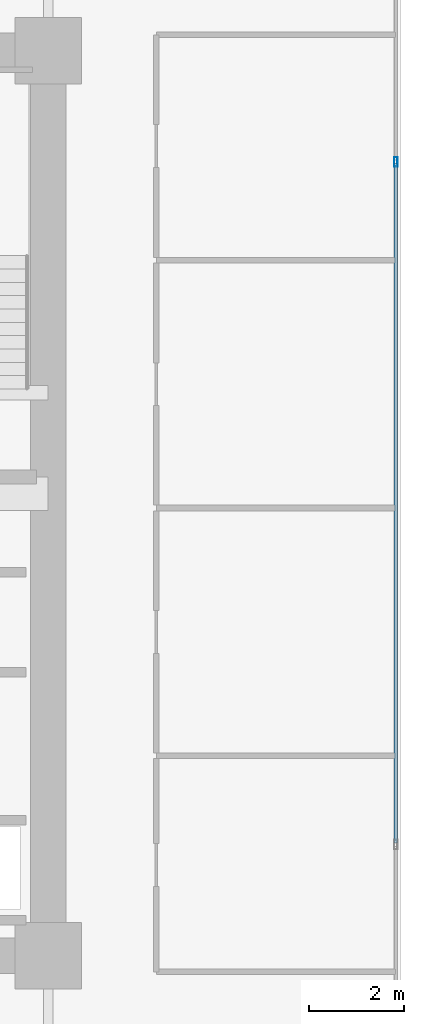
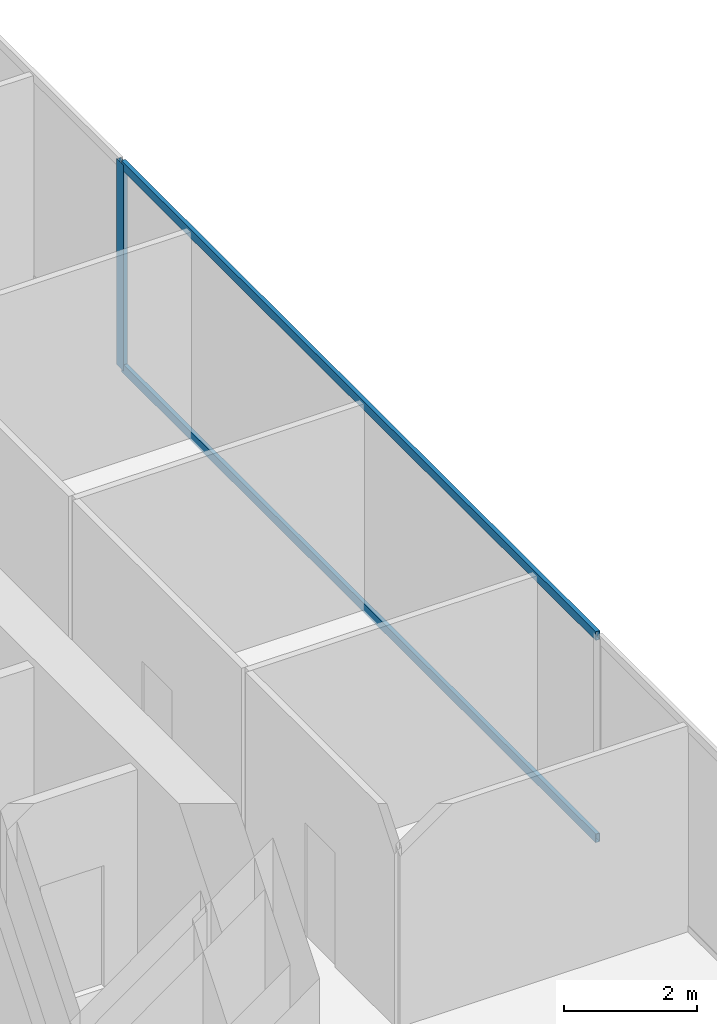
# One storey, part 25 of 35: 3 members, 1 element without a shape of its own.
"""IFC4 building model written with IfcOpenShell, lengths in metres."""

import ifcopenshell
import ifcopenshell.guid

model = None  # the IFC model being written
_history = None  # IfcOwnerHistory: only IFC2X3 demands one
_inside = {}  # id of a spatial element -> (the spatial element, [elements in it])
_under = {}  # id of a project, library or spatial element -> (it, [spatial elements below it])
_declared = {}  # id of a project -> (the project, [libraries it declares])
_typed = {}  # id of a type object -> (the type object, [elements of that type])
_made_of = {}  # id of a material, layer set ... -> (it, [elements and type objects made of it])


def new_model(schema):
    """Start an empty IFC model of exactly this schema.

    Asked for "IFC4X3", IfcOpenShell would pick the latest addendum, in which some entities
    have other attributes; the version numbers below select the first issue.
    IFC2X3 requires an IfcOwnerHistory on every rooted entity: one is made here for all.
    """
    global model, _history
    if schema == "IFC4X3":
        model = ifcopenshell.file(schema_version=(4, 3, 0, 0))
    else:
        model = ifcopenshell.file(schema=schema)
    _inside.clear()
    _under.clear()
    _declared.clear()
    _typed.clear()
    _made_of.clear()
    _history = None
    if model.schema == "IFC2X3":
        org = make("IfcOrganization", Name="unknown")
        user = make(
            "IfcPersonAndOrganization",
            ThePerson=make("IfcPerson", FamilyName="unknown"),
            TheOrganization=org,
        )
        app = make(
            "IfcApplication",
            ApplicationDeveloper=org,
            Version="unknown",
            ApplicationFullName="unknown",
            ApplicationIdentifier="unknown",
        )
        _history = make(
            "IfcOwnerHistory",
            OwningUser=user,
            OwningApplication=app,
            ChangeAction="ADDED",
            CreationDate=0,
        )
    return model


def make(cls, **values):
    """One entity of the class cls with the attributes given. An attribute that is None is left unset."""
    return model.create_entity(
        cls, **{name: value for name, value in values.items() if value is not None}
    )


def rooted(cls, **values):
    """An entity with a GlobalId (a new one), such as an element, a storey or a relation."""
    return make(cls, GlobalId=ifcopenshell.guid.new(), OwnerHistory=_history, **values)


def si_unit(unit_type, name, prefix=None):
    """IfcSIUnit, for example si_unit("LENGTHUNIT", "METRE", prefix="MILLI")."""
    return make("IfcSIUnit", UnitType=unit_type, Prefix=prefix, Name=name)


def assignment(units):
    """IfcUnitAssignment: the units of a project."""
    return None if units is None else make("IfcUnitAssignment", Units=units)


def point(xyz):
    """IfcCartesianPoint."""
    return None if xyz is None else make("IfcCartesianPoint", Coordinates=xyz)


def direction(xyz):
    """IfcDirection."""
    return None if xyz is None else make("IfcDirection", DirectionRatios=xyz)


def frame(location, z_axis=None, x_axis=None):
    """IfcAxis2Placement3D, a coordinate frame: its origin and axes. An axis left out is left unset."""
    return make(
        "IfcAxis2Placement3D",
        Location=point(location),
        Axis=direction(z_axis),
        RefDirection=direction(x_axis),
    )


def frame_2d(location, x_axis=None):
    """IfcAxis2Placement2D, a coordinate frame in the plane: its origin and x axis."""
    return make(
        "IfcAxis2Placement2D", Location=point(location), RefDirection=direction(x_axis)
    )


def origin():
    """The frame at (0, 0, 0) with its axes left unset."""
    return frame((0.0, 0.0, 0.0))


def origin_2d():
    """The frame at (0, 0) in the plane with its x axis left unset."""
    return frame_2d((0.0, 0.0))


def place(relative_to, where):
    """IfcLocalPlacement: puts the frame where relative to a parent placement (None: the world)."""
    return make(
        "IfcLocalPlacement", PlacementRelTo=relative_to, RelativePlacement=where
    )


def context(
    kind, dimensions, precision=None, world=None, true_north=None, identifier=None
):
    """IfcGeometricRepresentationContext, for example the 3D "Model" context."""
    return make(
        "IfcGeometricRepresentationContext",
        ContextIdentifier=identifier,
        ContextType=kind,
        CoordinateSpaceDimension=dimensions,
        Precision=precision,
        WorldCoordinateSystem=world,
        TrueNorth=true_north,
    )


def subcontext(parent, identifier, kind, view, scale=None):
    """IfcGeometricRepresentationSubContext, for example "Body" below "Model"."""
    return make(
        "IfcGeometricRepresentationSubContext",
        ContextIdentifier=identifier,
        ContextType=kind,
        ParentContext=parent,
        TargetScale=scale,
        TargetView=view,
    )


def project(units=None, contexts=None):
    """IfcProject with its units and contexts."""
    return rooted(
        "IfcProject",
        Name="project",
        RepresentationContexts=contexts,
        UnitsInContext=assignment(units),
    )


def spatial(cls, under=None, at=None, **own):
    """A site, building, storey or space (cls), placed at a placement, below another one or the project."""
    s = rooted(cls, ObjectPlacement=at, **own)
    if under is not None:
        _under.setdefault(under.id(), (under, []))[1].append(s)
    return s


def profile(cls, at=None, kind="AREA", **sizes):
    """A parametric profile (cls). Its sizes go by their IFC names, for example OverallWidth=200.0."""
    return make(cls, ProfileType=kind, Position=at, **sizes)


def hollow_rectangle(**sizes):
    """IfcRectangleHollowProfileDef."""
    return profile("IfcRectangleHollowProfileDef", **sizes)


def extrude(swept, where, along, depth):
    """IfcExtrudedAreaSolid: the profile swept, set in the frame where, extruded along a direction by depth."""
    return make(
        "IfcExtrudedAreaSolid",
        SweptArea=swept,
        Position=where,
        ExtrudedDirection=direction(along),
        Depth=depth,
    )


def shape(context_of_items, identifier, shape_type, items):
    """IfcShapeRepresentation: the items that make up one representation, for example the "Body"."""
    return make(
        "IfcShapeRepresentation",
        ContextOfItems=context_of_items,
        RepresentationIdentifier=identifier,
        RepresentationType=shape_type,
        Items=items,
    )


def source(mapping_origin, context_of_items, identifier, shape_type, items):
    """IfcRepresentationMap: a shape defined once, which mapped items show again and again."""
    return make(
        "IfcRepresentationMap",
        MappingOrigin=mapping_origin,
        MappedRepresentation=shape(context_of_items, identifier, shape_type, items),
    )


def transform(
    local_origin,
    x_axis=None,
    y_axis=None,
    z_axis=None,
    scale=None,
    scale2=None,
    scale3=None,
    uniform=True,
):
    """IfcCartesianTransformationOperator3D, or its non-uniform kind. x_axis, y_axis, z_axis: its Axis1, 2, 3."""
    if uniform:
        return make(
            "IfcCartesianTransformationOperator3D",
            Axis1=direction(x_axis),
            Axis2=direction(y_axis),
            LocalOrigin=point(local_origin),
            Scale=scale,
            Axis3=direction(z_axis),
        )
    return make(
        "IfcCartesianTransformationOperator3DnonUniform",
        Axis1=direction(x_axis),
        Axis2=direction(y_axis),
        LocalOrigin=point(local_origin),
        Scale=scale,
        Axis3=direction(z_axis),
        Scale2=scale2,
        Scale3=scale3,
    )


def mapped(mapping_source, mapping_target):
    """IfcMappedItem: shows the shape of a source again, moved by a transform."""
    return make(
        "IfcMappedItem", MappingSource=mapping_source, MappingTarget=mapping_target
    )


def material(Name=None, Category=None):
    """IfcMaterial."""
    return make("IfcMaterial", Name=Name, Category=Category)


def layer(
    of_material, thickness, ventilated=None, Name=None, Category=None, Priority=None
):
    """IfcMaterialLayer: one layer of a wall or slab, of a material (None: an air gap)."""
    return make(
        "IfcMaterialLayer",
        Material=of_material,
        LayerThickness=thickness,
        IsVentilated=ventilated,
        Name=Name,
        Category=Category,
        Priority=Priority,
    )


def layer_set(layers, Name=None):
    """IfcMaterialLayerSet."""
    return make("IfcMaterialLayerSet", MaterialLayers=layers, LayerSetName=Name)


def material_profile(
    of_material, cross_section, Name=None, Category=None, Priority=None
):
    """IfcMaterialProfile: a cross section and its material."""
    return make(
        "IfcMaterialProfile",
        Name=Name,
        Material=of_material,
        Profile=cross_section,
        Priority=Priority,
        Category=Category,
    )


def profile_set(profiles, Name=None, composite=None):
    """IfcMaterialProfileSet."""
    return make(
        "IfcMaterialProfileSet",
        Name=Name,
        MaterialProfiles=profiles,
        CompositeProfile=composite,
    )


def made_of(thing, what):
    """Note that an element or type object is made of a material, layer set ...; save() writes the relation."""
    if what is not None:
        _made_of.setdefault(what.id(), (what, []))[1].append(thing)
    return thing


def type_object(cls, material=None, **own):
    """A type object (cls), such as IfcWallType, which elements share."""
    return made_of(rooted(cls, **own), material)


def type_shapes(of_type, sources):
    """Give a type object the sources (RepresentationMaps) that its elements show as mapped items."""
    of_type.RepresentationMaps = sources


def element(
    cls,
    number,
    at=None,
    inside=None,
    cuts=None,
    type_object=None,
    material=None,
    context=None,
    identifier="Body",
    shape_type=None,
    held_by="IfcProductDefinitionShape",
    body=None,
    shapes=None,
    **own,
):
    """One element of the class cls, such as IfcWall. Its Tag is "e" and its number.

    at: its placement. inside: the storey or other place that contains it. cuts: it is an
    opening in that element (IfcRelVoidsElement). A single representation is given by context,
    identifier, shape_type and body (its items); several are given by shapes. held_by: the class
    of the entity that holds the representations. save() writes the other relations.
    """
    e = rooted(cls, Tag="e%d" % number, ObjectPlacement=at, **own)
    if body is not None:
        shapes = [shape(context, identifier, shape_type, body)]
    if shapes is not None:
        e.Representation = make(held_by, Representations=shapes)
    if inside is not None:
        _inside.setdefault(inside.id(), (inside, []))[1].append(e)
    if cuts is not None:
        rooted(
            "IfcRelVoidsElement", RelatingBuildingElement=cuts, RelatedOpeningElement=e
        )
    if type_object is not None:
        _typed.setdefault(type_object.id(), (type_object, []))[1].append(e)
    return made_of(e, material)


def aggregate(whole, parts):
    """IfcRelAggregates: a whole, such as a stair, and the parts it consists of."""
    return rooted("IfcRelAggregates", RelatingObject=whole, RelatedObjects=parts)


def save(model, path):
    """Write the relations noted so far, then the file.

    IfcRelAggregates (storeys below a building ...), IfcRelContainedInSpatialStructure (elements
    in a storey), IfcRelDefinesByType, IfcRelAssociatesMaterial and IfcRelDeclares: one each for
    every whole, place, type object, material and project.
    """
    for whole, parts in _under.values():
        aggregate(whole, parts)
    for where, things in _inside.values():
        rooted(
            "IfcRelContainedInSpatialStructure",
            RelatedElements=things,
            RelatingStructure=where,
        )
    for kind, things in _typed.values():
        rooted("IfcRelDefinesByType", RelatedObjects=things, RelatingType=kind)
    for what, things in _made_of.values():
        rooted("IfcRelAssociatesMaterial", RelatedObjects=things, RelatingMaterial=what)
    for by, libraries in _declared.values():
        rooted("IfcRelDeclares", RelatingContext=by, RelatedDefinitions=libraries)
    model.write(path)


model = new_model("IFC4")

# Units and contexts
model_context = context("Model", 3, precision=1e-05, world=origin(), true_north=direction((0.0, 1.0)))
body_context = subcontext(model_context, "Body", "Model", "MODEL_VIEW")
ifc_project = project(units=[si_unit("LENGTHUNIT", "METRE"), si_unit("AREAUNIT", "SQUARE_METRE"), si_unit("VOLUMEUNIT", "CUBIC_METRE"), si_unit("PLANEANGLEUNIT", "RADIAN"), si_unit("MASSUNIT", "GRAM", prefix="KILO")], contexts=[model_context])

# Site, building, storey
site_placement = place(None, origin())
site = spatial("IfcSite", under=ifc_project, at=site_placement, CompositionType="ELEMENT")
building_placement = place(site_placement, origin())
building = spatial("IfcBuilding", under=site, at=building_placement, Name="Haelvirn Gate Laboratories", CompositionType="ELEMENT")
storey_placement = place(building_placement, frame((0.0, 0.0, 58.0)))
storey = spatial("IfcBuildingStorey", under=building, at=storey_placement, Name="L14", CompositionType="ELEMENT", Elevation=58.0)

# Curtain wall, members
ifc_material_1 = material(Name="Anodised bronze unitised aluminium & triple low-E glass", Category="aluminium")
ifc_layer = layer(ifc_material_1, 0.18408203125, Name="CW-SYS-2")
ifc_layer_set = layer_set([ifc_layer], Name="Anodised bronze unitised aluminium & triple low-E glass")
curtain_wall_type = type_object("IfcCurtainWallType", Name="CW-SYS-2", PredefinedType="NOTDEFINED", material=ifc_layer_set)
curtain_wall_placement = place(storey_placement, origin())
curtain_wall = element("IfcCurtainWall", 1, at=curtain_wall_placement, inside=storey, type_object=curtain_wall_type, Name="L14 Unitised Curtain Wall CW-L14-P0-E07", PredefinedType="NOTDEFINED")
ifc_material_2 = material(Name="Extruded aluminium 6063-T6 (anodised bronze)", Category="aluminium")
ifc_material_profile_1 = material_profile(ifc_material_2, hollow_rectangle(XDim=0.074951171875, YDim=0.199951171875, WallThickness=0.0048828125, at=origin_2d()), Name="CWM-200x75x5")
ifc_profile_set_1 = profile_set([ifc_material_profile_1], Name="Extruded aluminium 6063-T6 (anodised bronze)")
member_type_1 = type_object("IfcMemberType", Name="CWM-T200", PredefinedType="MULLION", material=ifc_profile_set_1)
shared_shape_1 = source(origin(), body_context, "Body", "SweptSolid", [
    extrude(hollow_rectangle(XDim=0.074951171875, YDim=0.199951171875, WallThickness=0.0048828125, at=origin_2d()), origin(), (0.0, 0.0, 1.0), 3.780029296875),
])
type_shapes(member_type_1, [shared_shape_1])
member_1_placement = place(storey_placement, frame((74.699951171875, 31.466552734375, 0.0), z_axis=(0.0, 0.0, 1.0), x_axis=(-1.0, 0.0, 0.0)))
member_1 = element("IfcMember", 2, at=member_1_placement, type_object=member_type_1, Name="CW2 mullion 3", PredefinedType="MULLION", context=body_context, shape_type="MappedRepresentation", body=[
    mapped(shared_shape_1, transform((0.0, 0.0, 0.0), scale=1.0)),
])
ifc_material_profile_2 = material_profile(ifc_material_2, hollow_rectangle(XDim=0.070068359375, YDim=0.159912109375, WallThickness=0.0048828125, at=origin_2d()), Name="CWT-160x70x5")
ifc_profile_set_2 = profile_set([ifc_material_profile_2], Name="Extruded aluminium 6063-T6 (anodised bronze)")
member_type_2 = type_object("IfcMemberType", Name="CWT-T160", PredefinedType="USERDEFINED", material=ifc_profile_set_2)
shared_shape_2 = source(origin(), body_context, "Body", "SweptSolid", [
    extrude(hollow_rectangle(XDim=0.070068359375, YDim=0.159912109375, WallThickness=0.0048828125, at=origin_2d()), origin(), (0.0, 0.0, 1.0), 14.25830078125),
])
type_shapes(member_type_2, [shared_shape_2])
member_2_placement = place(storey_placement, frame((74.699951171875, 17.1708984375, 0.034912109375), z_axis=(0.0, 1.0, 0.0), x_axis=(-1.0, 0.0, 0.0)))
member_2 = element("IfcMember", 3, at=member_2_placement, type_object=member_type_2, Name="CW2 transom 2.1", ObjectType="TRANSOM", PredefinedType="USERDEFINED", context=body_context, shape_type="MappedRepresentation", body=[
    mapped(shared_shape_2, transform((0.0, 0.0, 0.0), scale=1.0)),
])
member_3_placement = place(storey_placement, frame((74.699951171875, 17.1708984375, 3.7451171875), z_axis=(0.0, 1.0, 0.0), x_axis=(-1.0, 0.0, 0.0)))
member_3 = element("IfcMember", 4, at=member_3_placement, type_object=member_type_2, Name="CW2 transom 2.2", ObjectType="TRANSOM", PredefinedType="USERDEFINED", context=body_context, shape_type="MappedRepresentation", body=[
    mapped(shared_shape_2, transform((0.0, 0.0, 0.0), scale=1.0)),
])
aggregate(curtain_wall, [member_1, member_2, member_3])

save(model, "model.ifc")
